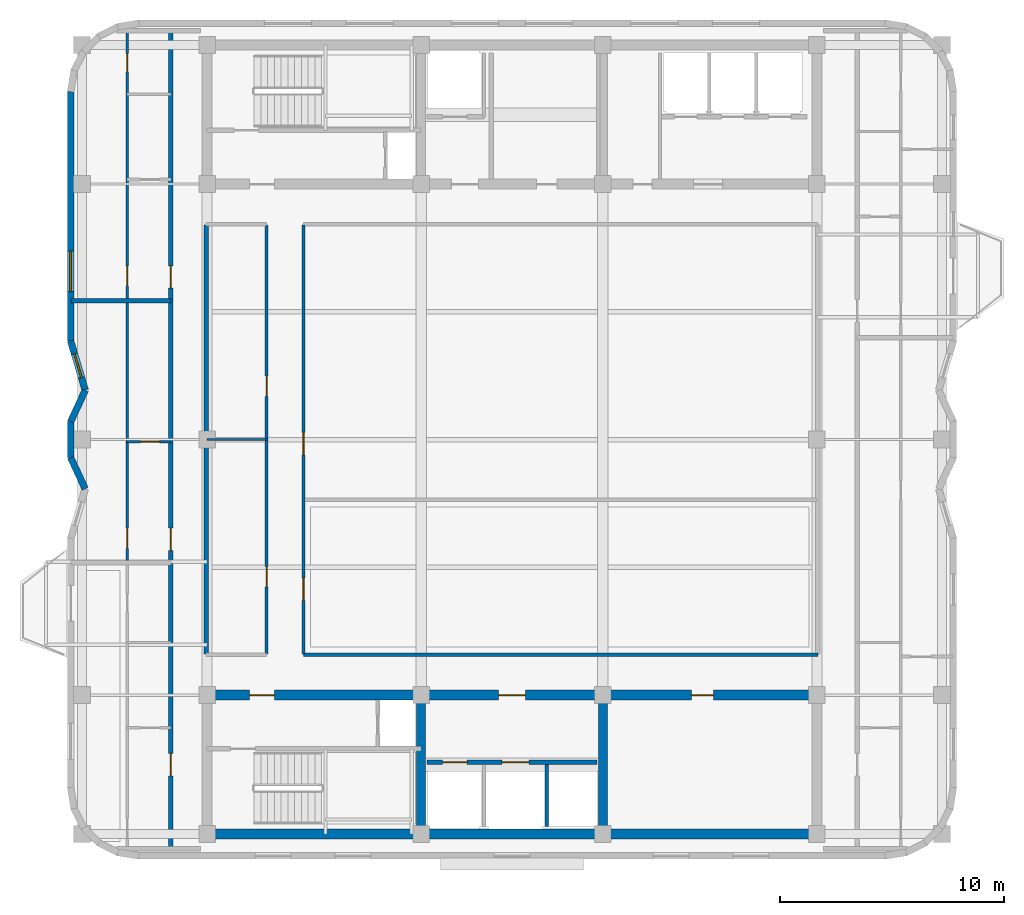
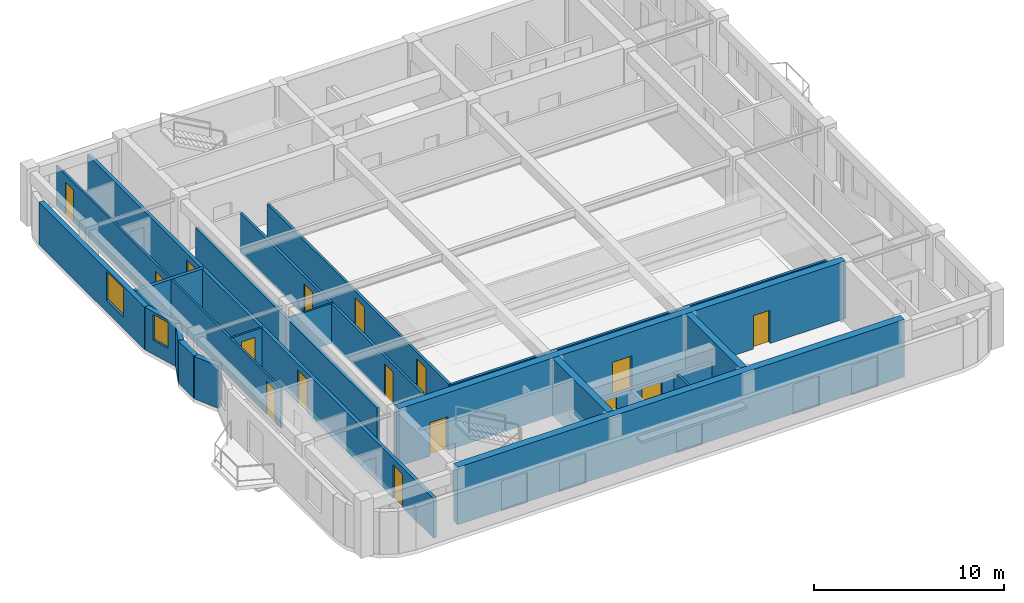
# One storey, part 3 of 8: 21 walls, 16 doors, 2 windows, 18 openings.
"""IFC4 building model written with IfcOpenShell, lengths in metres."""

from ifc_helpers import new_model, si_unit, direction, frame, frame_2d, origin, place, context, subcontext, project, spatial, rectangle, extrude, material, layer, layer_set, type_object, element, fill, save


model = new_model("IFC4")

# Units and contexts
model_context = context("Model", 3, precision=1e-05, world=origin(), true_north=direction((0.0, 1.0)))
body_context = subcontext(model_context, "Body", "Model", "MODEL_VIEW")
ifc_project = project(units=[si_unit("LENGTHUNIT", "METRE"), si_unit("AREAUNIT", "SQUARE_METRE"), si_unit("VOLUMEUNIT", "CUBIC_METRE"), si_unit("PLANEANGLEUNIT", "RADIAN"), si_unit("MASSUNIT", "GRAM", prefix="KILO")], contexts=[model_context])

# Site, building, storey
site_placement = place(None, origin())
site = spatial("IfcSite", under=ifc_project, at=site_placement, CompositionType="ELEMENT")
building_placement = place(site_placement, origin())
building = spatial("IfcBuilding", under=site, at=building_placement, Name="Svetorya Sky Lyceum", CompositionType="ELEMENT")
storey_placement = place(building_placement, frame((0.0, 0.0, 282.39990234375)))
storey = spatial("IfcBuildingStorey", under=building, at=storey_placement, Name="L71", CompositionType="ELEMENT", Elevation=282.39990234375)

# Walls
ifc_material_1 = material(Name="Concrete C40/50", Category="concrete")
ifc_layer_1 = layer(ifc_material_1, 0.39990234375)
ifc_layer_set_1 = layer_set([ifc_layer_1], Name="Concrete C40/50")
wall_type_1 = type_object("IfcWallType", Name="WL-CORE-400", PredefinedType="SHEAR", material=ifc_layer_set_1)
for number, where, z_axis, x_axis, name in (
    (1, (35.14990234375, 10.824951171875, 0.0), (0.0, 0.0, 1.0), (0.0, 1.0, 0.0), "L71 SC Internal Shear Web WEB1"),
    (2, (43.25, 10.824951171875, 0.0), (0.0, 0.0, 1.0), (0.0, 1.0, 0.0), "L71 SC Internal Shear Web WEB2"),
):
    element("IfcWall", number, at=place(storey_placement, frame(where, z_axis=z_axis, x_axis=x_axis)), inside=storey, type_object=wall_type_1, Name=name, PredefinedType="SHEAR", context=body_context, shape_type="SweptSolid", body=[
        extrude(rectangle(XDim=5.75, YDim=0.39990234375, at=frame_2d((2.875, 0.0))), origin(), (0.0, 0.0, 1.0), 3.7001953125),
    ])
ifc_material_2 = material(Name="Concrete C50/60", Category="concrete")
ifc_layer_2 = layer(ifc_material_2, 0.449951171875)
ifc_layer_set_2 = layer_set([ifc_layer_2], Name="Concrete C50/60")
wall_type_2 = type_object("IfcWallType", Name="WL-CORE-450", PredefinedType="SHEAR", material=ifc_layer_set_2)
wall_1_placement = place(storey_placement, frame((52.800048828125, 10.60009765625, 0.0), z_axis=(0.0, 0.0, 1.0), x_axis=(-1.0, 0.0, 0.0)))
element("IfcWall", 3, at=wall_1_placement, inside=storey, type_object=wall_type_2, Name="L71 SC Outer Core Shear Wall", PredefinedType="SHEAR", context=body_context, shape_type="SweptSolid", body=[
    extrude(rectangle(XDim=27.199951171875, YDim=0.449951171875, at=frame_2d((13.60009765625, 0.0))), origin(), (0.0, 0.0, 1.0), 3.7001953125),
])

# Wall, openings, doors
wall_2_placement = place(storey_placement, frame((25.60009765625, 16.800048828125, 0.0), z_axis=(0.0, 0.0, 1.0), x_axis=(1.0, 0.0, 0.0)))
wall_2 = element("IfcWall", 4, at=wall_2_placement, inside=storey, type_object=wall_type_2, Name="L71 SC Inner Core Shear Wall", PredefinedType="SHEAR", context=body_context, shape_type="SweptSolid", body=[
    extrude(rectangle(XDim=27.199951171875, YDim=0.449951171875, at=frame_2d((13.60009765625, 0.0))), origin(), (0.0, 0.0, 1.0), 3.7001953125),
])
opening_1_placement = place(wall_2_placement, frame((1.89990234375, 0.0, 0.0)))
opening_1 = element("IfcOpeningElement", 5, at=opening_1_placement, cuts=wall_2, Name="Opening D-ST1", PredefinedType="OPENING", context=body_context, shape_type="SweptSolid", body=[
    extrude(rectangle(XDim=1.10009765625, YDim=2.14990234375, at=frame_2d((0.550048828125, 1.074951171875))), frame((0.0, 0.23486328125, 0.0), z_axis=(0.0, -1.0, 0.0), x_axis=(1.0, 0.0, 0.0)), (0.0, 0.0, 1.0), 0.469970703125),
])
opening_2_placement = place(wall_2_placement, frame((13.0, 0.0, 0.0)))
opening_2 = element("IfcOpeningElement", 6, at=opening_2_placement, cuts=wall_2, Name="Opening D-FL1", PredefinedType="OPENING", context=body_context, shape_type="SweptSolid", body=[
    extrude(rectangle(XDim=1.199951171875, YDim=2.14990234375, at=frame_2d((0.60009765625, 1.074951171875))), frame((0.0, 0.23486328125, 0.0), z_axis=(0.0, -1.0, 0.0), x_axis=(1.0, 0.0, 0.0)), (0.0, 0.0, 1.0), 0.469970703125),
])
opening_3_placement = place(wall_2_placement, frame((21.60009765625, 0.0, 0.0)))
opening_3 = element("IfcOpeningElement", 7, at=opening_3_placement, cuts=wall_2, Name="Opening D-RM2", PredefinedType="OPENING", context=body_context, shape_type="SweptSolid", body=[
    extrude(rectangle(XDim=1.0, YDim=2.14990234375, at=frame_2d((0.5, 1.074951171875))), frame((0.0, 0.23486328125, 0.0), z_axis=(0.0, -1.0, 0.0), x_axis=(1.0, 0.0, 0.0)), (0.0, 0.0, 1.0), 0.469970703125),
])
ifc_material_3 = material(Name="Powder-coated insulated galvanized stair fire door")
door_type_1 = type_object("IfcDoorType", Name="DR-FIRE-1100", OperationType="SINGLE_SWING_LEFT", PredefinedType="DOOR", material=ifc_material_3)
door_1_placement = place(opening_1_placement, origin())
door_1 = element("IfcDoor", 8, at=door_1_placement, inside=storey, type_object=door_type_1, Name="L71 South Stair Airlock Door", OperationType="SINGLE_SWING_RIGHT", OverallHeight=2.14990234375, OverallWidth=1.10009765625, PredefinedType="DOOR", context=body_context, shape_type="SweptSolid", body=[
    extrude(rectangle(XDim=1.10009765625, YDim=2.14990234375, at=frame_2d((0.550048828125, 1.074951171875))), frame((0.0, 0.02490234375, 0.0), z_axis=(0.0, -1.0, 0.0), x_axis=(1.0, 0.0, 0.0)), (0.0, 0.0, 1.0), 0.050048828125),
])
fill(opening_1, door_1)
ifc_material_4 = material(Name="Powder-coated insulated galvanized fire door")
door_type_2 = type_object("IfcDoorType", Name="DR-FIRE-1200", OperationType="SINGLE_SWING_LEFT", PredefinedType="DOOR", material=ifc_material_4)
door_2_placement = place(opening_2_placement, origin())
door_2 = element("IfcDoor", 9, at=door_2_placement, inside=storey, type_object=door_type_2, Name="L71 South Firefighting Lift Lobby Door", OperationType="SINGLE_SWING_LEFT", OverallHeight=2.14990234375, OverallWidth=1.199951171875, PredefinedType="DOOR", context=body_context, shape_type="SweptSolid", body=[
    extrude(rectangle(XDim=1.199951171875, YDim=2.14990234375, at=frame_2d((0.60009765625, 1.074951171875))), frame((0.0, 0.02490234375, 0.0), z_axis=(0.0, -1.0, 0.0), x_axis=(1.0, 0.0, 0.0)), (0.0, 0.0, 1.0), 0.050048828125),
])
fill(opening_2, door_2)
ifc_material_5 = material(Name="Solid-core oak acoustic room door")
door_type_3 = type_object("IfcDoorType", Name="DR-INT-1000", OperationType="SINGLE_SWING_LEFT", PredefinedType="DOOR", material=ifc_material_5)
door_3_placement = place(opening_3_placement, origin())
door_3 = element("IfcDoor", 10, at=door_3_placement, inside=storey, type_object=door_type_3, Name="L71 Trunk Store Door", OperationType="SINGLE_SWING_LEFT", OverallHeight=2.14990234375, OverallWidth=1.0, PredefinedType="DOOR", context=body_context, shape_type="SweptSolid", body=[
    extrude(rectangle(XDim=1.0, YDim=2.14990234375, at=frame_2d((0.5, 1.074951171875))), frame((0.0, 0.02490234375, 0.0), z_axis=(0.0, -1.0, 0.0), x_axis=(1.0, 0.0, 0.0)), (0.0, 0.0, 1.0), 0.050048828125),
])
fill(opening_3, door_3)

# Wall, opening, window
ifc_material_6 = material(Name="Putilovo limestone rainscreen on autoclaved cellular masonry", Category="masonry")
ifc_layer_3 = layer(ifc_material_6, 0.300048828125)
ifc_layer_set_3 = layer_set([ifc_layer_3], Name="Putilovo limestone rainscreen on autoclaved cellular masonry")
wall_type_3 = type_object("IfcWallType", Name="WL-EXT-300", PredefinedType="SOLIDWALL", material=ifc_layer_set_3)
wall_3_placement = place(storey_placement, frame((19.510009765625, 43.719970703125, 0.0), z_axis=(0.0, 0.0, 1.0), x_axis=(0.0, -1.0, 0.0)))
wall_3 = element("IfcWall", 11, at=wall_3_placement, inside=storey, type_object=wall_type_3, Name="L71 Limestone Exterior Wall 30M", PredefinedType="SOLIDWALL", context=body_context, shape_type="SweptSolid", body=[
    extrude(rectangle(XDim=11.119873046875, YDim=0.300048828125, at=frame_2d((5.56005859375, 0.0))), origin(), (0.0, 0.0, 1.0), 2.72998046875),
])
opening_4_placement = place(wall_3_placement, frame((7.114990234375, 0.0, 0.760009765625)))
opening_4 = element("IfcOpeningElement", 12, at=opening_4_placement, cuts=wall_3, Name="Opening W-R1", PredefinedType="OPENING", context=body_context, shape_type="SweptSolid", body=[
    extrude(rectangle(XDim=1.800048828125, YDim=1.85009765625, at=frame_2d((0.89990234375, 0.925048828125))), frame((0.0, 0.159912109375, 0.0), z_axis=(0.0, -1.0, 0.0), x_axis=(1.0, 0.0, 0.0)), (0.0, 0.0, 1.0), 0.320068359375),
])
ifc_material_7 = material(Name="Thermally broken aluminium frame with triple low-E glazing", Category="aluminium")
window_type_1 = type_object("IfcWindowType", Name="WN-RES-180", PartitioningType="DOUBLE_PANEL_VERTICAL", PredefinedType="WINDOW", material=ifc_material_7)
window_1_placement = place(opening_4_placement, origin())
window_1 = element("IfcWindow", 13, at=window_1_placement, inside=storey, type_object=window_type_1, Name="L71 Facade Window W-R1.30M.1", OverallHeight=1.85009765625, OverallWidth=1.800048828125, PartitioningType="SINGLE_PANEL", PredefinedType="WINDOW", context=body_context, shape_type="SweptSolid", body=[
    extrude(rectangle(XDim=1.800048828125, YDim=1.85009765625, at=frame_2d((0.89990234375, 0.925048828125))), frame((0.0, 0.030029296875, 0.0), z_axis=(0.0, -1.0, 0.0), x_axis=(1.0, 0.0, 0.0)), (0.0, 0.0, 1.0), 0.06005859375),
])
fill(opening_4, window_1)

wall_4_placement = place(storey_placement, frame((19.510009765625, 32.60009765625, 0.0), z_axis=(0.0, 0.0, 1.0), x_axis=(0.28328385701, -0.959036107953, 0.0)))
wall_4 = element("IfcWall", 14, at=wall_4_placement, inside=storey, type_object=wall_type_3, Name="L71 Limestone Exterior Wall 31M", PredefinedType="SOLIDWALL", context=body_context, shape_type="SweptSolid", body=[
    extrude(rectangle(XDim=2.294189453125, YDim=0.300048828125, at=frame_2d((1.14697265625, 0.0))), origin(), (0.0, 0.0, 1.0), 2.72998046875),
])
opening_5_placement = place(wall_4_placement, frame((0.596923828125, 0.0, 0.919921875)))
opening_5 = element("IfcOpeningElement", 15, at=opening_5_placement, cuts=wall_4, Name="Opening W-R3", PredefinedType="OPENING", context=body_context, shape_type="SweptSolid", body=[
    extrude(rectangle(XDim=1.10009765625, YDim=1.64990234375, at=frame_2d((0.550048828125, 0.824951171875))), frame((0.0, 0.159912109375, 0.0), z_axis=(0.0, -1.0, 0.0), x_axis=(1.0, 0.0, 0.0)), (0.0, 0.0, 1.0), 0.320068359375),
])
window_type_2 = type_object("IfcWindowType", Name="WN-RES-110", PartitioningType="SINGLE_PANEL", PredefinedType="WINDOW", material=ifc_material_7)
window_2_placement = place(opening_5_placement, origin())
window_2 = element("IfcWindow", 16, at=window_2_placement, inside=storey, type_object=window_type_2, Name="L71 Facade Window W-R3.31M.1", OverallHeight=1.64990234375, OverallWidth=1.10009765625, PartitioningType="SINGLE_PANEL", PredefinedType="WINDOW", context=body_context, shape_type="SweptSolid", body=[
    extrude(rectangle(XDim=1.10009765625, YDim=1.64990234375, at=frame_2d((0.550048828125, 0.824951171875))), frame((0.0, 0.030029296875, 0.0), z_axis=(0.0, -1.0, 0.0), x_axis=(1.0, 0.0, 0.0)), (0.0, 0.0, 1.0), 0.06005859375),
])
fill(opening_5, window_2)

# Walls
wall_5_placement = place(storey_placement, frame((20.159912109375, 30.39990234375, 0.0), z_axis=(0.0, 0.0, 1.0), x_axis=(-0.421083420882, -0.907021914101, 0.0)))
element("IfcWall", 17, at=wall_5_placement, inside=storey, type_object=wall_type_3, Name="L71 Limestone Exterior Wall 32M", PredefinedType="SOLIDWALL", context=body_context, shape_type="SweptSolid", body=[
    extrude(rectangle(XDim=1.54345703125, YDim=0.300048828125, at=frame_2d((0.771728515625, 0.0))), origin(), (0.0, 0.0, 1.0), 2.72998046875),
])
wall_6_placement = place(storey_placement, frame((19.510009765625, 29.0, 0.0), z_axis=(0.0, 0.0, 1.0), x_axis=(0.0, -1.0, 0.0)))
element("IfcWall", 18, at=wall_6_placement, inside=storey, type_object=wall_type_3, Name="L71 Limestone Exterior Wall 33M", PredefinedType="SOLIDWALL", context=body_context, shape_type="SweptSolid", body=[
    extrude(rectangle(XDim=1.60009765625, YDim=0.300048828125, at=frame_2d((0.800048828125, 0.0))), origin(), (0.0, 0.0, 1.0), 2.72998046875),
])
wall_7_placement = place(storey_placement, frame((19.510009765625, 27.39990234375, 0.0), z_axis=(0.0, 0.0, 1.0), x_axis=(0.421083420882, -0.907021914101, 0.0)))
element("IfcWall", 19, at=wall_7_placement, inside=storey, type_object=wall_type_3, Name="L71 Limestone Exterior Wall 34M", PredefinedType="SOLIDWALL", context=body_context, shape_type="SweptSolid", body=[
    extrude(rectangle(XDim=1.54345703125, YDim=0.300048828125, at=frame_2d((0.771728515625, 0.0))), origin(), (0.0, 0.0, 1.0), 2.72998046875),
])
ifc_material_8 = material(Name="Galvanized stud partition with moisture-resistant board", Category="gypsum")
ifc_layer_4 = layer(ifc_material_8, 0.10009765625)
ifc_layer_set_4 = layer_set([ifc_layer_4], Name="Galvanized stud partition with moisture-resistant board")
wall_type_4 = type_object("IfcWallType", Name="WL-PART-100", PredefinedType="PARTITIONING", material=ifc_layer_set_4)
wall_8_placement = place(storey_placement, frame((25.60009765625, 28.199951171875, 0.0), z_axis=(0.0, 0.0, 1.0), x_axis=(1.0, 0.0, 0.0)))
element("IfcWall", 20, at=wall_8_placement, inside=storey, type_object=wall_type_4, Name="L71 Interior Partition OFF-HW", PredefinedType="PARTITIONING", context=body_context, shape_type="SweptSolid", body=[
    extrude(rectangle(XDim=2.659912109375, YDim=0.10009765625, at=frame_2d((1.330078125, 0.0))), origin(), (0.0, 0.0, 1.0), 2.56005859375),
])

# Wall, opening, door
ifc_material_9 = material(Name="Twin-stud galvanized framing with double fireboard", Category="gypsum")
ifc_layer_5 = layer(ifc_material_9, 0.1201171875)
ifc_layer_set_5 = layer_set([ifc_layer_5], Name="Twin-stud galvanized framing with double fireboard")
wall_type_5 = type_object("IfcWallType", Name="WL-PART-120", PredefinedType="PARTITIONING", material=ifc_layer_set_5)
wall_9_placement = place(storey_placement, frame((22.030029296875, 28.10009765625, 0.0), z_axis=(0.0, 0.0, 1.0), x_axis=(1.0, 0.0, 0.0)))
wall_9 = element("IfcWall", 21, at=wall_9_placement, inside=storey, type_object=wall_type_5, Name="L71 Interior Partition W2-WH1", PredefinedType="PARTITIONING", context=body_context, shape_type="SweptSolid", body=[
    extrude(rectangle(XDim=1.949951171875, YDim=0.1201171875, at=frame_2d((0.97509765625, 0.0))), origin(), (0.0, 0.0, 1.0), 2.56005859375),
])
opening_6_placement = place(wall_9_placement, frame((0.60009765625, 0.0, 0.0)))
opening_6 = element("IfcOpeningElement", 22, at=opening_6_placement, cuts=wall_9, Name="Opening D-BT1", PredefinedType="OPENING", context=body_context, shape_type="SweptSolid", body=[
    extrude(rectangle(XDim=0.85009765625, YDim=2.10009765625, at=frame_2d((0.425048828125, 1.050048828125))), frame((0.0, 0.070068359375, 0.0), z_axis=(0.0, -1.0, 0.0), x_axis=(1.0, 0.0, 0.0)), (0.0, 0.0, 1.0), 0.14013671875),
])
ifc_material_10 = material(Name="Moisture-resistant laminate bathroom door")
door_type_4 = type_object("IfcDoorType", Name="DR-WET-850", OperationType="SINGLE_SWING_LEFT", PredefinedType="DOOR", material=ifc_material_10)
door_4_placement = place(opening_6_placement, origin())
door_4 = element("IfcDoor", 23, at=door_4_placement, inside=storey, type_object=door_type_4, Name="Apartment W2 Bathroom Door", OperationType="SINGLE_SWING_RIGHT", OverallHeight=2.10009765625, OverallWidth=0.85009765625, PredefinedType="DOOR", context=body_context, shape_type="SweptSolid", body=[
    extrude(rectangle(XDim=0.85009765625, YDim=2.10009765625, at=frame_2d((0.425048828125, 1.050048828125))), frame((0.0, 0.02490234375, 0.0), z_axis=(0.0, -1.0, 0.0), x_axis=(1.0, 0.0, 0.0)), (0.0, 0.0, 1.0), 0.050048828125),
])
fill(opening_6, door_4)

wall_10_placement = place(storey_placement, frame((22.030029296875, 22.739990234375, 0.0), z_axis=(0.0, 0.0, 1.0), x_axis=(0.0, 1.0, 0.0)))
wall_10 = element("IfcWall", 24, at=wall_10_placement, inside=storey, type_object=wall_type_5, Name="L71 Interior Partition W2-WV", PredefinedType="PARTITIONING", context=body_context, shape_type="SweptSolid", body=[
    extrude(rectangle(XDim=11.625, YDim=0.1201171875, at=frame_2d((5.8125, 0.0))), origin(), (0.0, 0.0, 1.0), 2.56005859375),
])
opening_7_placement = place(wall_10_placement, frame((0.610107421875, 0.0, 0.0)))
opening_7 = element("IfcOpeningElement", 25, at=opening_7_placement, cuts=wall_10, Name="Opening D-RM1", PredefinedType="OPENING", context=body_context, shape_type="SweptSolid", body=[
    extrude(rectangle(XDim=0.89990234375, YDim=2.10009765625, at=frame_2d((0.449951171875, 1.050048828125))), frame((0.0, 0.070068359375, 0.0), z_axis=(0.0, -1.0, 0.0), x_axis=(1.0, 0.0, 0.0)), (0.0, 0.0, 1.0), 0.14013671875),
])
ifc_material_11 = material(Name="Lacquered birch veneer internal door")
door_type_5 = type_object("IfcDoorType", Name="DR-INT-900", OperationType="SINGLE_SWING_LEFT", PredefinedType="DOOR", material=ifc_material_11)
door_5_placement = place(opening_7_placement, origin())
door_5 = element("IfcDoor", 26, at=door_5_placement, inside=storey, type_object=door_type_5, Name="Apartment W2 Living Door", OperationType="SINGLE_SWING_LEFT", OverallHeight=2.10009765625, OverallWidth=0.89990234375, PredefinedType="DOOR", context=body_context, shape_type="SweptSolid", body=[
    extrude(rectangle(XDim=0.89990234375, YDim=2.10009765625, at=frame_2d((0.449951171875, 1.050048828125))), frame((0.0, 0.02490234375, 0.0), z_axis=(0.0, -1.0, 0.0), x_axis=(1.0, 0.0, 0.0)), (0.0, 0.0, 1.0), 0.050048828125),
])
fill(opening_7, door_5)

# Wall, openings, doors
wall_11_placement = place(storey_placement, frame((22.030029296875, 34.445068359375, 0.0), z_axis=(0.0, 0.0, 1.0), x_axis=(0.0, 1.0, 0.0)))
wall_11 = element("IfcWall", 27, at=wall_11_placement, inside=storey, type_object=wall_type_5, Name="L71 Interior Partition W3-WV", PredefinedType="PARTITIONING", context=body_context, shape_type="SweptSolid", body=[
    extrude(rectangle(XDim=11.96484375, YDim=0.1201171875, at=frame_2d((5.982421875, 0.0))), origin(), (0.0, 0.0, 1.0), 2.56005859375),
])
opening_8_placement = place(wall_11_placement, frame((0.610107421875, 0.0, 0.0)))
opening_8 = element("IfcOpeningElement", 28, at=opening_8_placement, cuts=wall_11, Name="Opening D-RM1", PredefinedType="OPENING", context=body_context, shape_type="SweptSolid", body=[
    extrude(rectangle(XDim=0.89990234375, YDim=2.10009765625, at=frame_2d((0.449951171875, 1.050048828125))), frame((0.0, 0.070068359375, 0.0), z_axis=(0.0, -1.0, 0.0), x_axis=(1.0, 0.0, 0.0)), (0.0, 0.0, 1.0), 0.14013671875),
])
opening_9_placement = place(wall_11_placement, frame((10.157470703125, 0.0, 0.0)))
opening_9 = element("IfcOpeningElement", 29, at=opening_9_placement, cuts=wall_11, Name="Opening D-BT2", PredefinedType="OPENING", context=body_context, shape_type="SweptSolid", body=[
    extrude(rectangle(XDim=0.820068359375, YDim=2.080078125, at=frame_2d((0.41015625, 1.0400390625))), frame((0.0, 0.070068359375, 0.0), z_axis=(0.0, -1.0, 0.0), x_axis=(1.0, 0.0, 0.0)), (0.0, 0.0, 1.0), 0.14013671875),
])
door_6_placement = place(opening_8_placement, origin())
door_6 = element("IfcDoor", 30, at=door_6_placement, inside=storey, type_object=door_type_5, Name="Apartment W3 Living Door", OperationType="SINGLE_SWING_RIGHT", OverallHeight=2.10009765625, OverallWidth=0.89990234375, PredefinedType="DOOR", context=body_context, shape_type="SweptSolid", body=[
    extrude(rectangle(XDim=0.89990234375, YDim=2.10009765625, at=frame_2d((0.449951171875, 1.050048828125))), frame((0.0, 0.02490234375, 0.0), z_axis=(0.0, -1.0, 0.0), x_axis=(1.0, 0.0, 0.0)), (0.0, 0.0, 1.0), 0.050048828125),
])
fill(opening_8, door_6)
ifc_material_12 = material(Name="Compact moisture-resistant laminate closet door")
door_type_6 = type_object("IfcDoorType", Name="DR-WET-820", OperationType="SINGLE_SWING_LEFT", PredefinedType="DOOR", material=ifc_material_12)
door_7_placement = place(opening_9_placement, origin())
door_7 = element("IfcDoor", 31, at=door_7_placement, inside=storey, type_object=door_type_6, Name="Apartment W3 Study Door", OperationType="SINGLE_SWING_LEFT", OverallHeight=2.080078125, OverallWidth=0.820068359375, PredefinedType="DOOR", context=body_context, shape_type="SweptSolid", body=[
    extrude(rectangle(XDim=0.820068359375, YDim=2.080078125, at=frame_2d((0.41015625, 1.0400390625))), frame((0.0, 0.02490234375, 0.0), z_axis=(0.0, -1.0, 0.0), x_axis=(1.0, 0.0, 0.0)), (0.0, 0.0, 1.0), 0.050048828125),
])
fill(opening_9, door_7)

# Walls
ifc_material_13 = material(Name="Autoclaved cellular masonry blockwork with acoustic render", Category="masonry")
ifc_layer_6 = layer(ifc_material_13, 0.14990234375)
ifc_layer_set_6 = layer_set([ifc_layer_6], Name="Autoclaved cellular masonry blockwork with acoustic render")
wall_type_6 = type_object("IfcWallType", Name="WL-PART-150", PredefinedType="PARTITIONING", material=ifc_layer_set_6)
wall_12_placement = place(storey_placement, frame((40.75, 10.949951171875, 0.0), z_axis=(0.0, 0.0, 1.0), x_axis=(0.0, 1.0, 0.0)))
element("IfcWall", 32, at=wall_12_placement, inside=storey, type_object=wall_type_6, Name="L71 Interior Partition SC-SHD2", PredefinedType="PARTITIONING", context=body_context, shape_type="SweptSolid", body=[
    extrude(rectangle(XDim=2.75, YDim=0.14990234375, at=frame_2d((1.375, 0.0))), origin(), (0.0, 0.0, 1.0), 2.56005859375),
])
wall_13_placement = place(storey_placement, frame((29.89990234375, 18.60009765625, 0.0), z_axis=(0.0, 0.0, 1.0), x_axis=(1.0, 0.0, 0.0)))
element("IfcWall", 33, at=wall_13_placement, inside=storey, type_object=wall_type_6, Name="L71 Interior Partition OFF-CS-E", PredefinedType="PARTITIONING", context=body_context, shape_type="SweptSolid", body=[
    extrude(rectangle(XDim=22.9501953125, YDim=0.14990234375, at=frame_2d((11.47509765625, 0.0))), origin(), (0.0, 0.0, 1.0), 2.56005859375),
])

# Wall, openings, doors
wall_14_placement = place(storey_placement, frame((28.25, 18.6298828125, 0.0), z_axis=(0.0, 0.0, 1.0), x_axis=(0.0, 1.0, 0.0)))
wall_14 = element("IfcWall", 34, at=wall_14_placement, inside=storey, type_object=wall_type_6, Name="L71 Interior Partition OFF-VW", PredefinedType="PARTITIONING", context=body_context, shape_type="SweptSolid", body=[
    extrude(rectangle(XDim=19.14013671875, YDim=0.14990234375, at=frame_2d((9.570068359375, 0.0))), origin(), (0.0, 0.0, 1.0), 2.56005859375),
])
opening_10_placement = place(wall_14_placement, frame((3.0, 0.0, 0.0)))
opening_10 = element("IfcOpeningElement", 35, at=opening_10_placement, cuts=wall_14, Name="Opening D-RM1", PredefinedType="OPENING", context=body_context, shape_type="SweptSolid", body=[
    extrude(rectangle(XDim=0.89990234375, YDim=2.10009765625, at=frame_2d((0.449951171875, 1.050048828125))), frame((0.0, 0.0849609375, 0.0), z_axis=(0.0, -1.0, 0.0), x_axis=(1.0, 0.0, 0.0)), (0.0, 0.0, 1.0), 0.169921875),
])
opening_11_placement = place(wall_14_placement, frame((11.5, 0.0, 0.0)))
opening_11 = element("IfcOpeningElement", 36, at=opening_11_placement, cuts=wall_14, Name="Opening D-RM1", PredefinedType="OPENING", context=body_context, shape_type="SweptSolid", body=[
    extrude(rectangle(XDim=0.89990234375, YDim=2.10009765625, at=frame_2d((0.449951171875, 1.050048828125))), frame((0.0, 0.0849609375, 0.0), z_axis=(0.0, -1.0, 0.0), x_axis=(1.0, 0.0, 0.0)), (0.0, 0.0, 1.0), 0.169921875),
])
door_8_placement = place(opening_10_placement, origin())
door_8 = element("IfcDoor", 37, at=door_8_placement, inside=storey, type_object=door_type_5, Name="L71 Study Door", OperationType="SINGLE_SWING_LEFT", OverallHeight=2.10009765625, OverallWidth=0.89990234375, PredefinedType="DOOR", context=body_context, shape_type="SweptSolid", body=[
    extrude(rectangle(XDim=0.89990234375, YDim=2.10009765625, at=frame_2d((0.449951171875, 1.050048828125))), frame((0.0, 0.02490234375, 0.0), z_axis=(0.0, -1.0, 0.0), x_axis=(1.0, 0.0, 0.0)), (0.0, 0.0, 1.0), 0.050048828125),
])
fill(opening_10, door_8)
door_9_placement = place(opening_11_placement, origin())
door_9 = element("IfcDoor", 38, at=door_9_placement, inside=storey, type_object=door_type_5, Name="L71 Focus Door", OperationType="SINGLE_SWING_RIGHT", OverallHeight=2.10009765625, OverallWidth=0.89990234375, PredefinedType="DOOR", context=body_context, shape_type="SweptSolid", body=[
    extrude(rectangle(XDim=0.89990234375, YDim=2.10009765625, at=frame_2d((0.449951171875, 1.050048828125))), frame((0.0, 0.02490234375, 0.0), z_axis=(0.0, -1.0, 0.0), x_axis=(1.0, 0.0, 0.0)), (0.0, 0.0, 1.0), 0.050048828125),
])
fill(opening_11, door_9)

wall_15_placement = place(storey_placement, frame((29.89990234375, 18.6298828125, 0.0), z_axis=(0.0, 0.0, 1.0), x_axis=(0.0, 1.0, 0.0)))
wall_15 = element("IfcWall", 39, at=wall_15_placement, inside=storey, type_object=wall_type_6, Name="L71 Interior Partition OFF-VE", PredefinedType="PARTITIONING", context=body_context, shape_type="SweptSolid", body=[
    extrude(rectangle(XDim=19.14013671875, YDim=0.14990234375, at=frame_2d((9.570068359375, 0.0))), origin(), (0.0, 0.0, 1.0), 2.56005859375),
])
opening_12_placement = place(wall_15_placement, frame((2.39990234375, 0.0, 0.0)))
opening_12 = element("IfcOpeningElement", 40, at=opening_12_placement, cuts=wall_15, Name="Opening D-RM2", PredefinedType="OPENING", context=body_context, shape_type="SweptSolid", body=[
    extrude(rectangle(XDim=1.0, YDim=2.14990234375, at=frame_2d((0.5, 1.074951171875))), frame((0.0, 0.0849609375, 0.0), z_axis=(0.0, -1.0, 0.0), x_axis=(1.0, 0.0, 0.0)), (0.0, 0.0, 1.0), 0.169921875),
])
opening_13_placement = place(wall_15_placement, frame((8.890380859375, 0.0, 0.0)))
opening_13 = element("IfcOpeningElement", 41, at=opening_13_placement, cuts=wall_15, Name="Opening D-RM2", PredefinedType="OPENING", context=body_context, shape_type="SweptSolid", body=[
    extrude(rectangle(XDim=1.0, YDim=2.14990234375, at=frame_2d((0.5, 1.074951171875))), frame((0.0, 0.0849609375, 0.0), z_axis=(0.0, -1.0, 0.0), x_axis=(1.0, 0.0, 0.0)), (0.0, 0.0, 1.0), 0.169921875),
])
door_10_placement = place(opening_12_placement, origin())
door_10 = element("IfcDoor", 42, at=door_10_placement, inside=storey, type_object=door_type_3, Name="L71 Club Door", OperationType="SINGLE_SWING_RIGHT", OverallHeight=2.14990234375, OverallWidth=1.0, PredefinedType="DOOR", context=body_context, shape_type="SweptSolid", body=[
    extrude(rectangle(XDim=1.0, YDim=2.14990234375, at=frame_2d((0.5, 1.074951171875))), frame((0.0, 0.02490234375, 0.0), z_axis=(0.0, -1.0, 0.0), x_axis=(1.0, 0.0, 0.0)), (0.0, 0.0, 1.0), 0.050048828125),
])
fill(opening_12, door_10)
door_11_placement = place(opening_13_placement, origin())
door_11 = element("IfcDoor", 43, at=door_11_placement, inside=storey, type_object=door_type_3, Name="L71 Seminar Door", OperationType="SINGLE_SWING_LEFT", OverallHeight=2.14990234375, OverallWidth=1.0, PredefinedType="DOOR", context=body_context, shape_type="SweptSolid", body=[
    extrude(rectangle(XDim=1.0, YDim=2.14990234375, at=frame_2d((0.5, 1.074951171875))), frame((0.0, 0.02490234375, 0.0), z_axis=(0.0, -1.0, 0.0), x_axis=(1.0, 0.0, 0.0)), (0.0, 0.0, 1.0), 0.050048828125),
])
fill(opening_13, door_11)

ifc_material_14 = material(Name="Autoclaved cellular masonry blockwork with gypsum plaster", Category="masonry")
ifc_layer_7 = layer(ifc_material_14, 0.199951171875)
ifc_layer_set_7 = layer_set([ifc_layer_7], Name="Autoclaved cellular masonry blockwork with gypsum plaster")
wall_type_7 = type_object("IfcWallType", Name="WL-PART-200", PredefinedType="PARTITIONING", material=ifc_layer_set_7)
wall_16_placement = place(storey_placement, frame((35.39990234375, 13.800048828125, 0.0), z_axis=(0.0, 0.0, 1.0), x_axis=(1.0, 0.0, 0.0)))
wall_16 = element("IfcWall", 44, at=wall_16_placement, inside=storey, type_object=wall_type_7, Name="L71 Interior Partition SC-FLW", PredefinedType="PARTITIONING", context=body_context, shape_type="SweptSolid", body=[
    extrude(rectangle(XDim=7.60009765625, YDim=0.199951171875, at=frame_2d((3.800048828125, 0.0))), origin(), (0.0, 0.0, 1.0), 2.330078125),
])
opening_14_placement = place(wall_16_placement, frame((0.699951171875, 0.0, 0.0)))
opening_14 = element("IfcOpeningElement", 45, at=opening_14_placement, cuts=wall_16, Name="Opening LD-FL", PredefinedType="OPENING", context=body_context, shape_type="SweptSolid", body=[
    extrude(rectangle(XDim=1.10009765625, YDim=2.14990234375, at=frame_2d((0.550048828125, 1.074951171875))), frame((0.0, 0.10986328125, 0.0), z_axis=(0.0, -1.0, 0.0), x_axis=(1.0, 0.0, 0.0)), (0.0, 0.0, 1.0), 0.219970703125),
])
opening_15_placement = place(wall_16_placement, frame((3.35009765625, 0.0, 0.0)))
opening_15 = element("IfcOpeningElement", 46, at=opening_15_placement, cuts=wall_16, Name="Opening LD-SV", PredefinedType="OPENING", context=body_context, shape_type="SweptSolid", body=[
    extrude(rectangle(XDim=1.199951171875, YDim=2.14990234375, at=frame_2d((0.60009765625, 1.074951171875))), frame((0.0, 0.10986328125, 0.0), z_axis=(0.0, -1.0, 0.0), x_axis=(1.0, 0.0, 0.0)), (0.0, 0.0, 1.0), 0.219970703125),
])
ifc_material_15 = material(Name="Fire-rated stainless AISI 304 firefighting lift landing door")
door_type_7 = type_object("IfcDoorType", Name="DR-LIFT-1100", OperationType="SLIDING_TO_LEFT", PredefinedType="DOOR", material=ifc_material_15)
door_12_placement = place(opening_14_placement, origin())
door_12 = element("IfcDoor", 47, at=door_12_placement, inside=storey, type_object=door_type_7, Name="L71 Firefighting Lift FL2 Landing Door", OperationType="SLIDING_TO_LEFT", OverallHeight=2.14990234375, OverallWidth=1.10009765625, PredefinedType="DOOR", context=body_context, shape_type="SweptSolid", body=[
    extrude(rectangle(XDim=1.10009765625, YDim=2.14990234375, at=frame_2d((0.550048828125, 1.074951171875))), frame((0.0, 0.02490234375, 0.0), z_axis=(0.0, -1.0, 0.0), x_axis=(1.0, 0.0, 0.0)), (0.0, 0.0, 1.0), 0.050048828125),
])
fill(opening_14, door_12)
ifc_material_16 = material(Name="Brushed stainless AISI 304 telescopic lift landing door")
door_type_8 = type_object("IfcDoorType", Name="DR-LIFT-1200", OperationType="SLIDING_TO_LEFT", PredefinedType="DOOR", material=ifc_material_16)
door_13_placement = place(opening_15_placement, origin())
door_13 = element("IfcDoor", 48, at=door_13_placement, inside=storey, type_object=door_type_8, Name="L71 Service Lift SVL1 Landing Door", OperationType="SLIDING_TO_LEFT", OverallHeight=2.14990234375, OverallWidth=1.199951171875, PredefinedType="DOOR", context=body_context, shape_type="SweptSolid", body=[
    extrude(rectangle(XDim=1.199951171875, YDim=2.14990234375, at=frame_2d((0.60009765625, 1.074951171875))), frame((0.0, 0.02490234375, 0.0), z_axis=(0.0, -1.0, 0.0), x_axis=(1.0, 0.0, 0.0)), (0.0, 0.0, 1.0), 0.050048828125),
])
fill(opening_15, door_13)

# Walls
wall_17_placement = place(storey_placement, frame((25.550048828125, 18.6298828125, 0.0), z_axis=(0.0, 0.0, 1.0), x_axis=(0.0, 1.0, 0.0)))
element("IfcWall", 49, at=wall_17_placement, inside=storey, type_object=wall_type_7, Name="L71 Interior Partition W-CEN-SEP", PredefinedType="PARTITIONING", context=body_context, shape_type="SweptSolid", body=[
    extrude(rectangle(XDim=19.14013671875, YDim=0.199951171875, at=frame_2d((9.570068359375, 0.0))), origin(), (0.0, 0.0, 1.0), 2.56005859375),
])
wall_18_placement = place(storey_placement, frame((19.530029296875, 34.405029296875, 0.0), z_axis=(0.0, 0.0, 1.0), x_axis=(1.0, 0.0, 0.0)))
element("IfcWall", 50, at=wall_18_placement, inside=storey, type_object=wall_type_7, Name="L71 Interior Partition W-PARTY-2", PredefinedType="PARTITIONING", context=body_context, shape_type="SweptSolid", body=[
    extrude(rectangle(XDim=4.449951171875, YDim=0.199951171875, at=frame_2d((2.22509765625, 0.0))), origin(), (0.0, 0.0, 1.0), 2.56005859375),
])

# Wall, openings, doors
wall_19_placement = place(storey_placement, frame((23.97998046875, 9.949951171875, 0.0), z_axis=(0.0, 0.0, 1.0), x_axis=(0.0, 1.0, 0.0)))
wall_19 = element("IfcWall", 51, at=wall_19_placement, inside=storey, type_object=wall_type_7, Name="L71 Interior Partition W-CORRW", PredefinedType="PARTITIONING", context=body_context, shape_type="SweptSolid", body=[
    extrude(rectangle(XDim=36.5, YDim=0.199951171875, at=frame_2d((18.25, 0.0))), origin(), (0.0, 0.0, 1.0), 2.56005859375),
])
opening_16_placement = place(wall_19_placement, frame((3.25, 0.0, 0.0)))
opening_16 = element("IfcOpeningElement", 52, at=opening_16_placement, cuts=wall_19, Name="Opening D-APT1", PredefinedType="OPENING", context=body_context, shape_type="SweptSolid", body=[
    extrude(rectangle(XDim=1.0, YDim=2.14990234375, at=frame_2d((0.5, 1.074951171875))), frame((0.0, 0.10986328125, 0.0), z_axis=(0.0, -1.0, 0.0), x_axis=(1.0, 0.0, 0.0)), (0.0, 0.0, 1.0), 0.219970703125),
])
opening_17_placement = place(wall_19_placement, frame((13.300048828125, 0.0, 0.0)))
opening_17 = element("IfcOpeningElement", 53, at=opening_17_placement, cuts=wall_19, Name="Opening D-APT1", PredefinedType="OPENING", context=body_context, shape_type="SweptSolid", body=[
    extrude(rectangle(XDim=1.0, YDim=2.14990234375, at=frame_2d((0.5, 1.074951171875))), frame((0.0, 0.10986328125, 0.0), z_axis=(0.0, -1.0, 0.0), x_axis=(1.0, 0.0, 0.0)), (0.0, 0.0, 1.0), 0.219970703125),
])
opening_18_placement = place(wall_19_placement, frame((25.0048828125, 0.0, 0.0)))
opening_18 = element("IfcOpeningElement", 54, at=opening_18_placement, cuts=wall_19, Name="Opening D-APT1", PredefinedType="OPENING", context=body_context, shape_type="SweptSolid", body=[
    extrude(rectangle(XDim=1.0, YDim=2.14990234375, at=frame_2d((0.5, 1.074951171875))), frame((0.0, 0.10986328125, 0.0), z_axis=(0.0, -1.0, 0.0), x_axis=(1.0, 0.0, 0.0)), (0.0, 0.0, 1.0), 0.219970703125),
])
ifc_material_17 = material(Name="Insulated oak-veneered apartment entrance door")
door_type_9 = type_object("IfcDoorType", Name="DR-APT-1000", OperationType="SINGLE_SWING_LEFT", PredefinedType="DOOR", material=ifc_material_17)
door_14_placement = place(opening_16_placement, origin())
door_14 = element("IfcDoor", 55, at=door_14_placement, inside=storey, type_object=door_type_9, Name="L71 Apartment W1 Entrance Door", OperationType="SINGLE_SWING_LEFT", OverallHeight=2.14990234375, OverallWidth=1.0, PredefinedType="DOOR", context=body_context, shape_type="SweptSolid", body=[
    extrude(rectangle(XDim=1.0, YDim=2.14990234375, at=frame_2d((0.5, 1.074951171875))), frame((0.0, 0.02490234375, 0.0), z_axis=(0.0, -1.0, 0.0), x_axis=(1.0, 0.0, 0.0)), (0.0, 0.0, 1.0), 0.050048828125),
])
fill(opening_16, door_14)
door_15_placement = place(opening_17_placement, origin())
door_15 = element("IfcDoor", 56, at=door_15_placement, inside=storey, type_object=door_type_9, Name="L71 Apartment W2 Entrance Door", OperationType="SINGLE_SWING_RIGHT", OverallHeight=2.14990234375, OverallWidth=1.0, PredefinedType="DOOR", context=body_context, shape_type="SweptSolid", body=[
    extrude(rectangle(XDim=1.0, YDim=2.14990234375, at=frame_2d((0.5, 1.074951171875))), frame((0.0, 0.02490234375, 0.0), z_axis=(0.0, -1.0, 0.0), x_axis=(1.0, 0.0, 0.0)), (0.0, 0.0, 1.0), 0.050048828125),
])
fill(opening_17, door_15)
door_16_placement = place(opening_18_placement, origin())
door_16 = element("IfcDoor", 57, at=door_16_placement, inside=storey, type_object=door_type_9, Name="L71 Apartment W3 Entrance Door", OperationType="SINGLE_SWING_LEFT", OverallHeight=2.14990234375, OverallWidth=1.0, PredefinedType="DOOR", context=body_context, shape_type="SweptSolid", body=[
    extrude(rectangle(XDim=1.0, YDim=2.14990234375, at=frame_2d((0.5, 1.074951171875))), frame((0.0, 0.02490234375, 0.0), z_axis=(0.0, -1.0, 0.0), x_axis=(1.0, 0.0, 0.0)), (0.0, 0.0, 1.0), 0.050048828125),
])
fill(opening_18, door_16)

save(model, "model.ifc")
